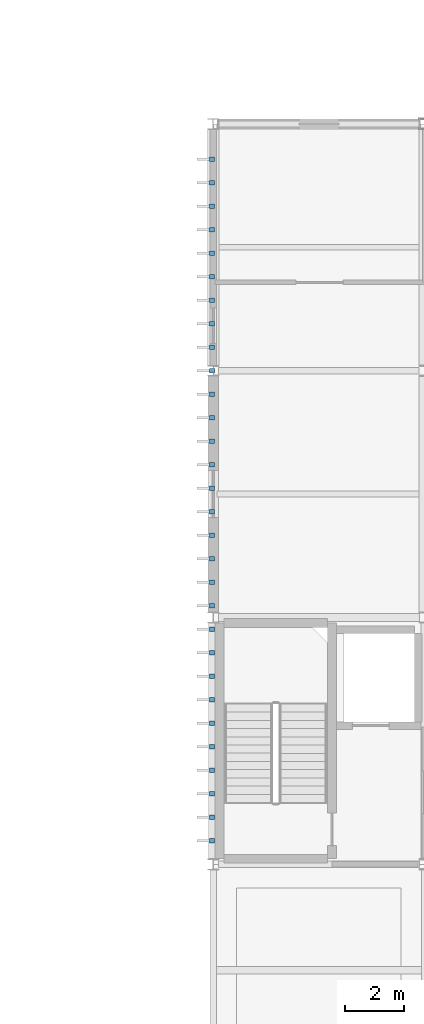
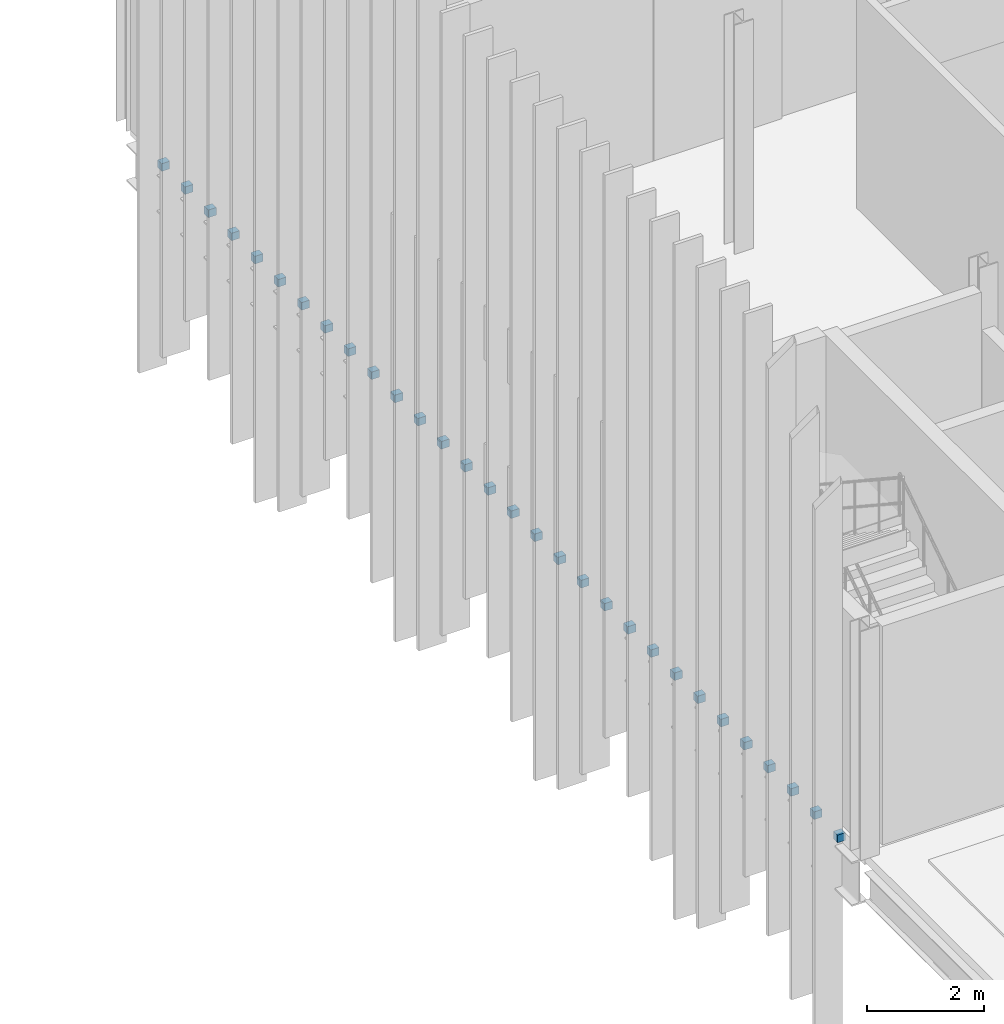
# One storey, part 36 of 45: 30 discrete accessories.
"""IFC4 building model written with IfcOpenShell, lengths in metres."""

from ifc_helpers import new_model, si_unit, direction, frame, origin, origin_2d, place, context, subcontext, project, spatial, rectangle, extrude, material, type_object, element, save


model = new_model("IFC4")

# Units and contexts
model_context = context("Model", 3, precision=1e-05, world=origin(), true_north=direction((0.0, 1.0)))
body_context = subcontext(model_context, "Body", "Model", "MODEL_VIEW")
ifc_project = project(units=[si_unit("LENGTHUNIT", "METRE"), si_unit("AREAUNIT", "SQUARE_METRE"), si_unit("VOLUMEUNIT", "CUBIC_METRE"), si_unit("PLANEANGLEUNIT", "RADIAN"), si_unit("MASSUNIT", "GRAM", prefix="KILO")], contexts=[model_context])

# Site, building, storey
site_placement = place(None, origin())
site = spatial("IfcSite", under=ifc_project, at=site_placement, CompositionType="ELEMENT")
building_placement = place(site_placement, origin())
building = spatial("IfcBuilding", under=site, at=building_placement, Name="Calvrana Isthmian Art Gallery", CompositionType="ELEMENT")
storey_placement = place(building_placement, frame((0.0, 0.0, 19.800048828125)))
storey = spatial("IfcBuildingStorey", under=building, at=storey_placement, Name="L04", CompositionType="ELEMENT", Elevation=19.800048828125)

# Discrete accessories
ifc_material = material(Name="Stainless steel 316", Category="steel")
discrete_accessory_type = type_object("IfcDiscreteAccessoryType", Name="ACC-BRK-FIN", PredefinedType="BRACKET", material=ifc_material)
for number, where, z_axis, x_axis, name in (
    (1, (112.760009765625, 22.39990234375, -0.2001953125), (0.0, 0.0, 1.0), (1.0, 0.0, 0.0), "Solar fin outrigger bracket V4_W-000"),
    (2, (112.760009765625, 23.199951171875, -0.2001953125), (0.0, 0.0, 1.0), (1.0, 0.0, 0.0), "Solar fin outrigger bracket V4_W-001"),
    (3, (112.760009765625, 24.0, -0.2001953125), (0.0, 0.0, 1.0), (1.0, 0.0, 0.0), "Solar fin outrigger bracket V4_W-002"),
    (4, (112.760009765625, 24.800048828125, -0.2001953125), (0.0, 0.0, 1.0), (1.0, 0.0, 0.0), "Solar fin outrigger bracket V4_W-003"),
    (5, (112.760009765625, 25.60009765625, -0.2001953125), (0.0, 0.0, 1.0), (1.0, 0.0, 0.0), "Solar fin outrigger bracket V4_W-004"),
    (6, (112.760009765625, 26.39990234375, -0.2001953125), (0.0, 0.0, 1.0), (1.0, 0.0, 0.0), "Solar fin outrigger bracket V4_W-005"),
    (7, (112.760009765625, 27.199951171875, -0.2001953125), (0.0, 0.0, 1.0), (1.0, 0.0, 0.0), "Solar fin outrigger bracket V4_W-006"),
    (8, (112.760009765625, 28.0, -0.2001953125), (0.0, 0.0, 1.0), (1.0, 0.0, 0.0), "Solar fin outrigger bracket V4_W-007"),
    (9, (112.760009765625, 28.800048828125, -0.2001953125), (0.0, 0.0, 1.0), (1.0, 0.0, 0.0), "Solar fin outrigger bracket V4_W-008"),
    (10, (112.760009765625, 29.60009765625, -0.2001953125), (0.0, 0.0, 1.0), (1.0, 0.0, 0.0), "Solar fin outrigger bracket V4_W-009"),
    (11, (112.760009765625, 30.39990234375, -0.2001953125), (0.0, 0.0, 1.0), (1.0, 0.0, 0.0), "Solar fin outrigger bracket V4_W-010"),
    (12, (112.760009765625, 31.199951171875, -0.2001953125), (0.0, 0.0, 1.0), (1.0, 0.0, 0.0), "Solar fin outrigger bracket V4_W-011"),
    (13, (112.760009765625, 32.0, -0.2001953125), (0.0, 0.0, 1.0), (1.0, 0.0, 0.0), "Solar fin outrigger bracket V4_W-012"),
    (14, (112.760009765625, 32.800048828125, -0.2001953125), (0.0, 0.0, 1.0), (1.0, 0.0, 0.0), "Solar fin outrigger bracket V4_W-013"),
    (15, (112.760009765625, 33.60009765625, -0.2001953125), (0.0, 0.0, 1.0), (1.0, 0.0, 0.0), "Solar fin outrigger bracket V4_W-014"),
    (16, (112.760009765625, 34.39990234375, -0.2001953125), (0.0, 0.0, 1.0), (1.0, 0.0, 0.0), "Solar fin outrigger bracket V4_W-015"),
    (17, (112.760009765625, 35.199951171875, -0.2001953125), (0.0, 0.0, 1.0), (1.0, 0.0, 0.0), "Solar fin outrigger bracket V4_W-016"),
    (18, (112.760009765625, 36.0, -0.2001953125), (0.0, 0.0, 1.0), (1.0, 0.0, 0.0), "Solar fin outrigger bracket V4_W-017"),
    (19, (112.760009765625, 36.800048828125, -0.2001953125), (0.0, 0.0, 1.0), (1.0, 0.0, 0.0), "Solar fin outrigger bracket V4_W-018"),
    (20, (112.760009765625, 37.60009765625, -0.2001953125), (0.0, 0.0, 1.0), (1.0, 0.0, 0.0), "Solar fin outrigger bracket V4_W-019"),
    (21, (112.760009765625, 38.39990234375, -0.2001953125), (0.0, 0.0, 1.0), (1.0, 0.0, 0.0), "Solar fin outrigger bracket V4_W-020"),
    (22, (112.760009765625, 39.199951171875, -0.2001953125), (0.0, 0.0, 1.0), (1.0, 0.0, 0.0), "Solar fin outrigger bracket V4_W-021"),
    (23, (112.760009765625, 40.0, -0.2001953125), (0.0, 0.0, 1.0), (1.0, 0.0, 0.0), "Solar fin outrigger bracket V4_W-022"),
    (24, (112.760009765625, 40.800048828125, -0.2001953125), (0.0, 0.0, 1.0), (1.0, 0.0, 0.0), "Solar fin outrigger bracket V4_W-023"),
    (25, (112.760009765625, 41.60009765625, -0.2001953125), (0.0, 0.0, 1.0), (1.0, 0.0, 0.0), "Solar fin outrigger bracket V4_W-024"),
    (26, (112.760009765625, 42.39990234375, -0.2001953125), (0.0, 0.0, 1.0), (1.0, 0.0, 0.0), "Solar fin outrigger bracket V4_W-025"),
    (27, (112.760009765625, 43.199951171875, -0.2001953125), (0.0, 0.0, 1.0), (1.0, 0.0, 0.0), "Solar fin outrigger bracket V4_W-026"),
    (28, (112.760009765625, 44.0, -0.2001953125), (0.0, 0.0, 1.0), (1.0, 0.0, 0.0), "Solar fin outrigger bracket V4_W-027"),
    (29, (112.760009765625, 44.800048828125, -0.2001953125), (0.0, 0.0, 1.0), (1.0, 0.0, 0.0), "Solar fin outrigger bracket V4_W-028"),
    (30, (112.760009765625, 45.60009765625, -0.2001953125), (0.0, 0.0, 1.0), (1.0, 0.0, 0.0), "Solar fin outrigger bracket V4_W-029"),
):
    element("IfcDiscreteAccessory", number, at=place(storey_placement, frame(where, z_axis=z_axis, x_axis=x_axis)), inside=storey, type_object=discrete_accessory_type, Name=name, PredefinedType="BRACKET", context=body_context, shape_type="SweptSolid", body=[
        extrude(rectangle(XDim=0.159912109375, YDim=0.139892578125, at=origin_2d()), origin(), (0.0, 0.0, 1.0), 0.159912109375),
    ])

save(model, "model.ifc")
